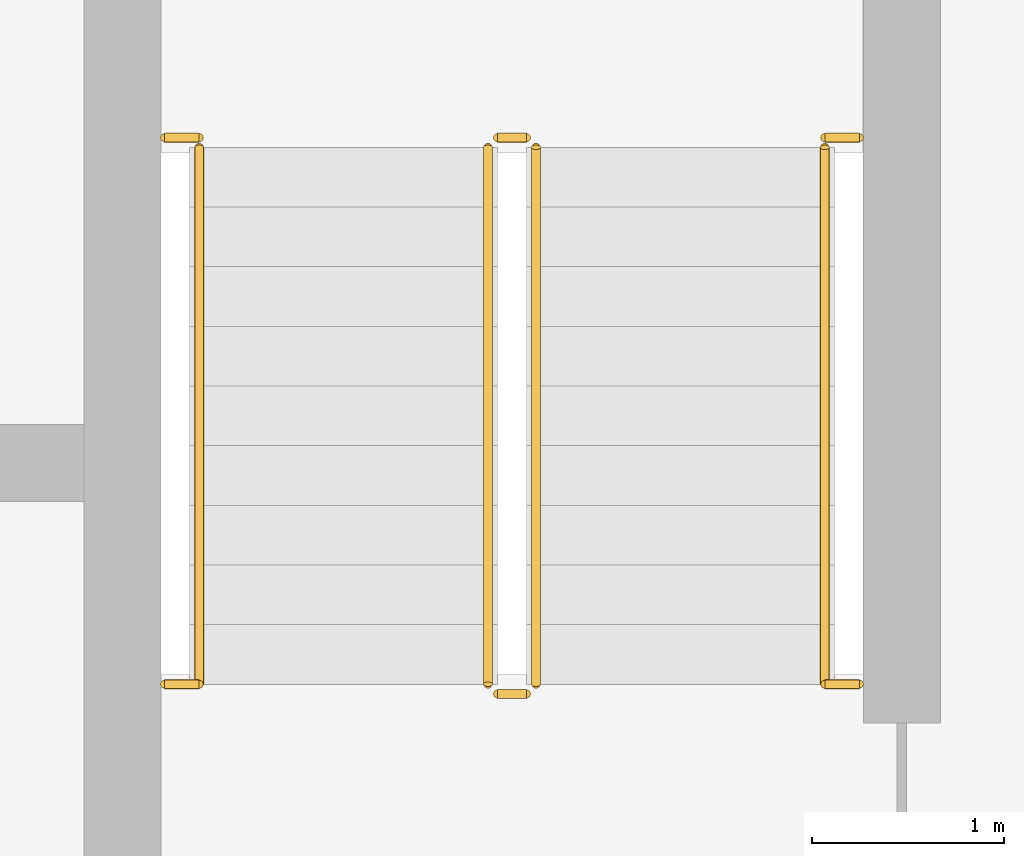
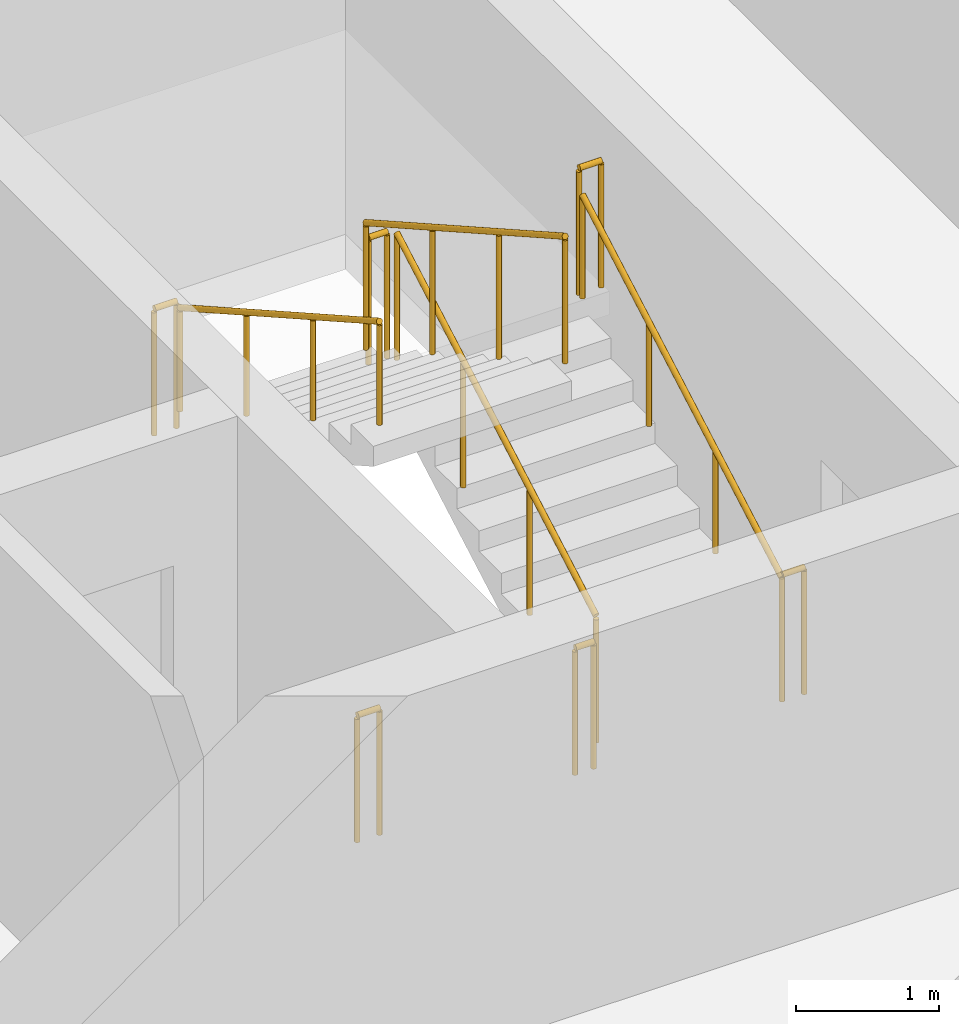
# One storey, part 19 of 21: 10 railings.
"""IFC4 building model written with IfcOpenShell, lengths in metres."""

from ifc_helpers import new_model, si_unit, direction, frame, origin, origin_2d, place, context, subcontext, project, spatial, circle, extrude, material, type_object, element, save


model = new_model("IFC4")

# Units and contexts
model_context = context("Model", 3, precision=1e-05, world=origin(), true_north=direction((0.0, 1.0)))
body_context = subcontext(model_context, "Body", "Model", "MODEL_VIEW")
ifc_project = project(units=[si_unit("LENGTHUNIT", "METRE"), si_unit("AREAUNIT", "SQUARE_METRE"), si_unit("VOLUMEUNIT", "CUBIC_METRE"), si_unit("PLANEANGLEUNIT", "RADIAN"), si_unit("MASSUNIT", "GRAM", prefix="KILO")], contexts=[model_context])

# Site, building, storey
site_placement = place(None, origin())
site = spatial("IfcSite", under=ifc_project, at=site_placement, CompositionType="ELEMENT")
building_placement = place(site_placement, origin())
building = spatial("IfcBuilding", under=site, at=building_placement, Name="Madar Terraces", CompositionType="ELEMENT")
storey_placement = place(building_placement, frame((0.0, 0.0, 272.10009765625)))
storey = spatial("IfcBuildingStorey", under=building, at=storey_placement, Name="L71", CompositionType="ELEMENT", Elevation=272.10009765625)

# Railings
ifc_material_1 = material(Name="Stainless steel railing", Category="steel")
railing_type_1 = type_object("IfcRailingType", Name="Stair guard 1100", PredefinedType="GUARDRAIL", material=ifc_material_1)
railing_1_placement = place(storey_placement, frame((41.449951171875, 17.60009765625, 0.1748046875)))
element("IfcRailing", 1, at=railing_1_placement, inside=storey, type_object=railing_type_1, Name="L71 ST3 stair guard 1", PredefinedType="GUARDRAIL", context=body_context, shape_type="SweptSolid", body=[
    extrude(circle(Radius=0.02392578125, at=origin_2d()), frame((0.0, 0.0, 1.076171875), z_axis=(0.0, 0.870782738816, 0.491667999549), x_axis=(-1.0, 0.0, 0.0)), (0.0, 0.0, 1.0), 3.203857421875),
    extrude(circle(Radius=0.02099609375, at=origin_2d()), origin(), (0.0, 0.0, 1.0), 1.052001953125),
    extrude(circle(Radius=0.02099609375, at=origin_2d()), frame((0.0, 0.929931640625, 0.525146484375)), (0.0, 0.0, 1.0), 1.052001953125),
    extrude(circle(Radius=0.02099609375, at=origin_2d()), frame((0.0, 1.85986328125, 1.050048828125)), (0.0, 0.0, 1.0), 1.052001953125),
    extrude(circle(Radius=0.02099609375, at=origin_2d()), frame((0.0, 2.789794921875, 1.5751953125)), (0.0, 0.0, 1.0), 1.052001953125),
])
railing_2_placement = place(storey_placement, frame((41.39990234375, 20.43994140625, 1.75)))
element("IfcRailing", 2, at=railing_2_placement, inside=storey, type_object=railing_type_1, Name="L71 ST3 stair guard 2", PredefinedType="GUARDRAIL", context=body_context, shape_type="SweptSolid", body=[
    extrude(circle(Radius=0.02392578125, at=origin_2d()), frame((0.0, 0.0, 1.076171875), z_axis=(-1.0, 0.0, 0.0), x_axis=(0.0, -1.0, 0.0)), (0.0, 0.0, 1.0), 0.14990234375),
    extrude(circle(Radius=0.02099609375, at=origin_2d()), origin(), (0.0, 0.0, 1.0), 1.052001953125),
    extrude(circle(Radius=0.02099609375, at=origin_2d()), frame((-0.14990234375, 0.0, 0.0)), (0.0, 0.0, 1.0), 1.052001953125),
])
railing_3_placement = place(storey_placement, frame((41.199951171875, 20.389892578125, 1.9248046875)))
element("IfcRailing", 3, at=railing_3_placement, inside=storey, type_object=railing_type_1, Name="L71 ST3 stair guard 3", PredefinedType="GUARDRAIL", context=body_context, shape_type="SweptSolid", body=[
    extrude(circle(Radius=0.02392578125, at=origin_2d()), frame((0.0, 0.0, 1.076171875), z_axis=(0.0, -0.870782738816, 0.491667999549), x_axis=(1.0, 0.0, 0.0)), (0.0, 0.0, 1.0), 3.203857421875),
    extrude(circle(Radius=0.02099609375, at=origin_2d()), origin(), (0.0, 0.0, 1.0), 1.052001953125),
    extrude(circle(Radius=0.02099609375, at=origin_2d()), frame((0.0, -0.929931640625, 0.525146484375)), (0.0, 0.0, 1.0), 1.052001953125),
    extrude(circle(Radius=0.02099609375, at=origin_2d()), frame((0.0, -1.85986328125, 1.050048828125)), (0.0, 0.0, 1.0), 1.052001953125),
    extrude(circle(Radius=0.02099609375, at=origin_2d()), frame((0.0, -2.789794921875, 1.5751953125)), (0.0, 0.0, 1.0), 1.052001953125),
])
railing_4_placement = place(storey_placement, frame((41.39990234375, 17.550048828125, 0.0)))
element("IfcRailing", 4, at=railing_4_placement, inside=storey, type_object=railing_type_1, Name="L71 ST3 stair guard 4", PredefinedType="GUARDRAIL", context=body_context, shape_type="SweptSolid", body=[
    extrude(circle(Radius=0.02392578125, at=origin_2d()), frame((0.0, 0.0, 1.076171875), z_axis=(-1.0, 0.0, 0.0), x_axis=(0.0, -1.0, 0.0)), (0.0, 0.0, 1.0), 0.14990234375),
    extrude(circle(Radius=0.02099609375, at=origin_2d()), origin(), (0.0, 0.0, 1.0), 1.052001953125),
    extrude(circle(Radius=0.02099609375, at=origin_2d()), frame((-0.14990234375, 0.0, 0.0)), (0.0, 0.0, 1.0), 1.052001953125),
])
for number, where, name in (
    (5, (39.52001953125, 20.43994140625, 1.75), "L71 stair guard seat 1"),
    (6, (42.949951171875, 20.43994140625, 1.75), "L71 stair guard seat 2"),
    (7, (39.52001953125, 17.60009765625, 0.0), "L71 stair guard floor 1"),
    (8, (42.949951171875, 17.60009765625, 0.0), "L71 stair guard floor 2"),
):
    element("IfcRailing", number, at=place(storey_placement, frame(where)), inside=storey, type_object=railing_type_1, Name=name, PredefinedType="GUARDRAIL", context=body_context, shape_type="SweptSolid", body=[
        extrude(circle(Radius=0.02392578125, at=origin_2d()), frame((0.0, 0.0, 1.076171875), z_axis=(1.0, 0.0, 0.0), x_axis=(0.0, 1.0, 0.0)), (0.0, 0.0, 1.0), 0.179931640625),
        extrude(circle(Radius=0.02099609375, at=origin_2d()), origin(), (0.0, 0.0, 1.0), 1.052001953125),
        extrude(circle(Radius=0.02099609375, at=origin_2d()), frame((0.179931640625, 0.0, 0.0)), (0.0, 0.0, 1.0), 1.052001953125),
    ])
ifc_material_2 = material(Name="Stainless steel railing", Category="steel")
railing_type_2 = type_object("IfcRailingType", Name="Stair handrail 900", PredefinedType="HANDRAIL", material=ifc_material_2)
railing_5_placement = place(storey_placement, frame((42.949951171875, 17.60009765625, 0.1748046875)))
element("IfcRailing", 9, at=railing_5_placement, inside=storey, type_object=railing_type_2, Name="L71 ST3 stair handrail 1", PredefinedType="HANDRAIL", context=body_context, shape_type="SweptSolid", body=[
    extrude(circle(Radius=0.02392578125, at=origin_2d()), frame((0.0, 0.0, 0.8759765625), z_axis=(0.0, 0.870782738816, 0.491667999549), x_axis=(-1.0, 0.0, 0.0)), (0.0, 0.0, 1.0), 3.203857421875),
    extrude(circle(Radius=0.02099609375, at=origin_2d()), origin(), (0.0, 0.0, 1.0), 0.851806640625),
    extrude(circle(Radius=0.02099609375, at=origin_2d()), frame((0.0, 0.929931640625, 0.525146484375)), (0.0, 0.0, 1.0), 0.851806640625),
    extrude(circle(Radius=0.02099609375, at=origin_2d()), frame((0.0, 1.85986328125, 1.050048828125)), (0.0, 0.0, 1.0), 0.851806640625),
    extrude(circle(Radius=0.02099609375, at=origin_2d()), frame((0.0, 2.789794921875, 1.5751953125)), (0.0, 0.0, 1.0), 0.851806640625),
])
railing_6_placement = place(storey_placement, frame((39.699951171875, 20.389892578125, 1.9248046875)))
element("IfcRailing", 10, at=railing_6_placement, inside=storey, type_object=railing_type_2, Name="L71 ST3 stair handrail 2", PredefinedType="HANDRAIL", context=body_context, shape_type="SweptSolid", body=[
    extrude(circle(Radius=0.02392578125, at=origin_2d()), frame((0.0, 0.0, 0.8759765625), z_axis=(0.0, -0.870782738816, 0.491667999549), x_axis=(1.0, 0.0, 0.0)), (0.0, 0.0, 1.0), 3.203857421875),
    extrude(circle(Radius=0.02099609375, at=origin_2d()), origin(), (0.0, 0.0, 1.0), 0.851806640625),
    extrude(circle(Radius=0.02099609375, at=origin_2d()), frame((0.0, -0.929931640625, 0.525146484375)), (0.0, 0.0, 1.0), 0.851806640625),
    extrude(circle(Radius=0.02099609375, at=origin_2d()), frame((0.0, -1.85986328125, 1.050048828125)), (0.0, 0.0, 1.0), 0.851806640625),
    extrude(circle(Radius=0.02099609375, at=origin_2d()), frame((0.0, -2.789794921875, 1.5751953125)), (0.0, 0.0, 1.0), 0.851806640625),
])

save(model, "model.ifc")
